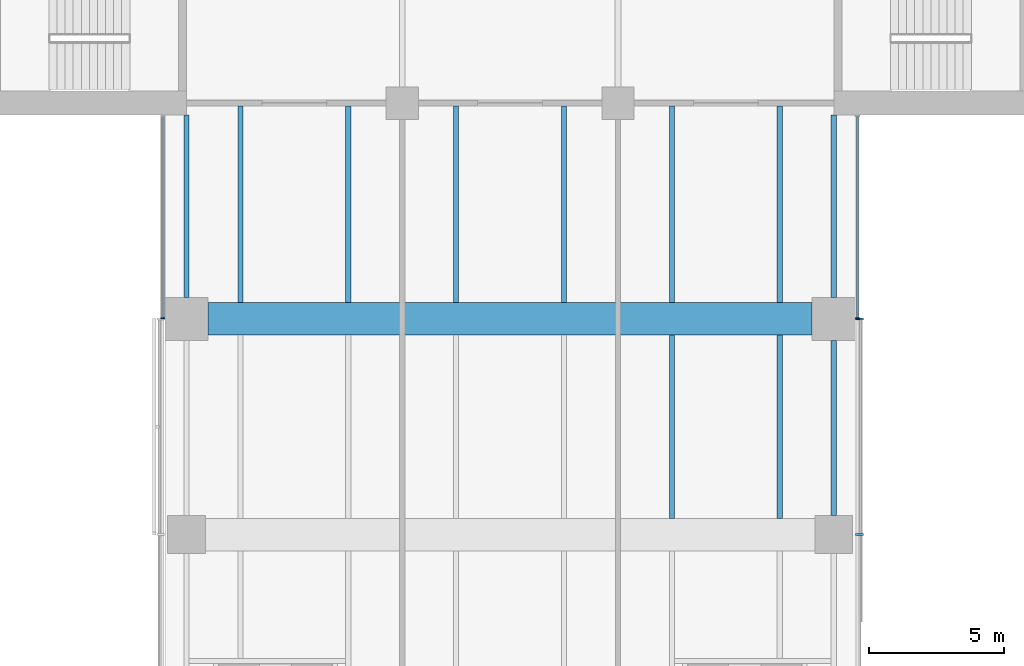
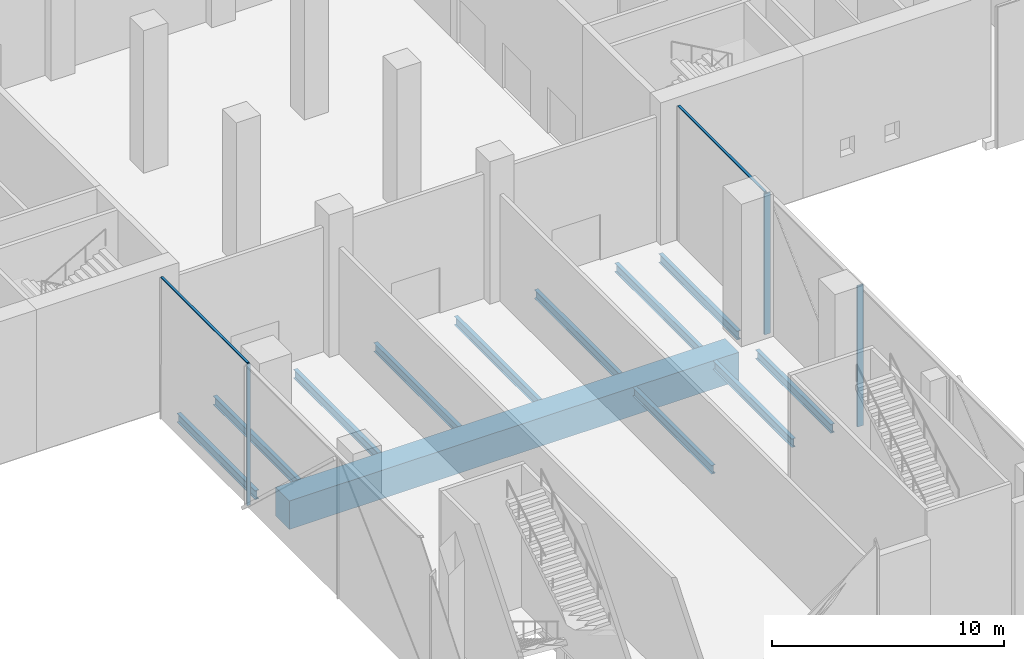
# One storey, part 3 of 25: 12 beams, 6 members, 3 elements without a shape of their own.
"""IFC4 building model written with IfcOpenShell, lengths in metres."""

from ifc_helpers import new_model, si_unit, direction, frame, origin, origin_2d, place, context, subcontext, project, spatial, rectangle, i_section, extrude, material, material_profile, profile_set, type_object, element, aggregate, save


model = new_model("IFC4")

# Units and contexts
model_context = context("Model", 3, precision=1e-05, world=origin(), true_north=direction((0.0, 1.0)))
body_context = subcontext(model_context, "Body", "Model", "MODEL_VIEW")
ifc_project = project(units=[si_unit("LENGTHUNIT", "METRE"), si_unit("AREAUNIT", "SQUARE_METRE"), si_unit("VOLUMEUNIT", "CUBIC_METRE"), si_unit("PLANEANGLEUNIT", "RADIAN"), si_unit("MASSUNIT", "GRAM", prefix="KILO")], contexts=[model_context])

# Site, building, storey
site_placement = place(None, origin())
site = spatial("IfcSite", under=ifc_project, at=site_placement, CompositionType="ELEMENT")
building_placement = place(site_placement, origin())
building = spatial("IfcBuilding", under=site, at=building_placement, Name="Crosswind Convention Tower", CompositionType="ELEMENT")
storey_placement = place(building_placement, frame((0.0, 0.0, 17.5)))
storey = spatial("IfcBuildingStorey", under=building, at=storey_placement, Name="L02", CompositionType="ELEMENT", Elevation=17.5)

# Beams
ifc_material_1 = material(Name="Steel S355", Category="steel")
ifc_material_profile_1 = material_profile(ifc_material_1, i_section(OverallWidth=0.19287109375, OverallDepth=0.467529296875, WebThickness=0.011474609375, FlangeThickness=0.01953125, FilletRadius=0.01025390625, at=origin_2d()), Name="UB 457x191x98")
ifc_profile_set_1 = profile_set([ifc_material_profile_1], Name="Steel S355")
beam_type_1 = type_object("IfcBeamType", Name="Edge beam UB 457x191x98", PredefinedType="SPANDREL", material=ifc_profile_set_1)
beam_1_placement = place(storey_placement, frame((113.0, 80.800048828125, -0.6337890625), z_axis=(0.0, 1.0, 0.0), x_axis=(-1.0, 0.0, 0.0)))
element("IfcBeam", 1, at=beam_1_placement, inside=storey, type_object=beam_type_1, Name="B20 L02 edge beam 8", PredefinedType="SPANDREL", context=body_context, shape_type="SweptSolid", body=[
    extrude(i_section(OverallWidth=0.19287109375, OverallDepth=0.467529296875, WebThickness=0.011474609375, FlangeThickness=0.01953125, FilletRadius=0.01025390625, at=origin_2d()), origin(), (0.0, 0.0, 1.0), 6.75),
])
beam_2_placement = place(storey_placement, frame((137.0, 72.699951171875, -0.6337890625), z_axis=(0.0, 1.0, 0.0), x_axis=(-1.0, 0.0, 0.0)))
element("IfcBeam", 2, at=beam_2_placement, inside=storey, type_object=beam_type_1, Name="B20 L02 edge beam 15", PredefinedType="SPANDREL", context=body_context, shape_type="SweptSolid", body=[
    extrude(i_section(OverallWidth=0.19287109375, OverallDepth=0.467529296875, WebThickness=0.011474609375, FlangeThickness=0.01953125, FilletRadius=0.01025390625, at=origin_2d()), origin(), (0.0, 0.0, 1.0), 6.5),
])
beam_3_placement = place(storey_placement, frame((137.0, 80.800048828125, -0.6337890625), z_axis=(0.0, 1.0, 0.0), x_axis=(-1.0, 0.0, 0.0)))
element("IfcBeam", 3, at=beam_3_placement, inside=storey, type_object=beam_type_1, Name="B20 L02 edge beam 16", PredefinedType="SPANDREL", context=body_context, shape_type="SweptSolid", body=[
    extrude(i_section(OverallWidth=0.19287109375, OverallDepth=0.467529296875, WebThickness=0.011474609375, FlangeThickness=0.01953125, FilletRadius=0.01025390625, at=origin_2d()), origin(), (0.0, 0.0, 1.0), 6.75),
])

# Curtain wall, member
ifc_material_2 = material(Name="Aluminium unitised curtain wall", Category="aluminium")
curtain_wall_type_1 = type_object("IfcCurtainWallType", Name="CORE END SLOT WALL 160", PredefinedType="USERDEFINED", material=ifc_material_2)
curtain_wall_1_placement = place(storey_placement, origin())
curtain_wall_1 = element("IfcCurtainWall", 4, at=curtain_wall_1_placement, inside=storey, type_object=curtain_wall_type_1, Name="CW6 L02 S-W.1-1 slot", ObjectType="UNITISED", PredefinedType="USERDEFINED")
ifc_material_3 = material(Name="Aluminium mullion", Category="aluminium")
ifc_material_profile_2 = material_profile(ifc_material_3, rectangle(XDim=0.159912109375, YDim=0.050048828125, at=origin_2d()), Name="AL 160X50")
ifc_profile_set_2 = profile_set([ifc_material_profile_2], Name="Aluminium mullion")
member_type_1 = type_object("IfcMemberType", Name="MULLION 50X160", PredefinedType="MULLION", material=ifc_profile_set_2)
member_1_placement = place(storey_placement, frame((112.1201171875, 80.02490234375, -0.39990234375), z_axis=(0.0, 0.0, 1.0), x_axis=(-1.0, 0.0, 0.0)))
member_1 = element("IfcMember", 5, at=member_1_placement, type_object=member_type_1, Name="CW6 mullion 2", PredefinedType="MULLION", context=body_context, shape_type="SweptSolid", body=[
    extrude(rectangle(XDim=0.159912109375, YDim=0.050048828125, at=origin_2d()), origin(), (0.0, 0.0, 1.0), 7.449951171875),
])

curtain_wall_2_placement = place(storey_placement, origin())
curtain_wall_2 = element("IfcCurtainWall", 6, at=curtain_wall_2_placement, inside=storey, type_object=curtain_wall_type_1, Name="CW6 L02 S-E.1-4 slot", ObjectType="UNITISED", PredefinedType="USERDEFINED")
member_2_placement = place(storey_placement, frame((137.8798828125, 80.02490234375, -0.39990234375), z_axis=(0.0, 0.0, 1.0), x_axis=(1.0, 0.0, 0.0)))
member_2 = element("IfcMember", 7, at=member_2_placement, type_object=member_type_1, Name="CW6 mullion 1", PredefinedType="MULLION", context=body_context, shape_type="SweptSolid", body=[
    extrude(rectangle(XDim=0.159912109375, YDim=0.050048828125, at=origin_2d()), origin(), (0.0, 0.0, 1.0), 7.449951171875),
])

# Curtain wall, members
curtain_wall_type_2 = type_object("IfcCurtainWallType", Name="PODIUM UNITISED WALL 300", PredefinedType="USERDEFINED", material=ifc_material_2)
curtain_wall_3_placement = place(storey_placement, origin())
curtain_wall_3 = element("IfcCurtainWall", 8, at=curtain_wall_3_placement, inside=storey, type_object=curtain_wall_type_2, Name="CW1 L02 S-E 1", ObjectType="UNITISED", PredefinedType="USERDEFINED")
ifc_material_profile_3 = material_profile(ifc_material_3, rectangle(XDim=0.300048828125, YDim=0.080078125, at=origin_2d()), Name="AL 300X80")
ifc_profile_set_3 = profile_set([ifc_material_profile_3], Name="Aluminium mullion")
member_type_2 = type_object("IfcMemberType", Name="MULLION 80X300", PredefinedType="MULLION", material=ifc_profile_set_3)
member_3_placement = place(storey_placement, frame((137.949951171875, 72.0, -0.39990234375), z_axis=(0.0, 0.0, 1.0), x_axis=(1.0, 0.0, 0.0)))
member_3 = element("IfcMember", 9, at=member_3_placement, type_object=member_type_2, Name="CW1 mullion 3", PredefinedType="MULLION", context=body_context, shape_type="SweptSolid", body=[
    extrude(rectangle(XDim=0.300048828125, YDim=0.080078125, at=origin_2d()), origin(), (0.0, 0.0, 1.0), 7.419921875),
])
member_4_placement = place(storey_placement, frame((137.949951171875, 80.0, -0.39990234375), z_axis=(0.0, 0.0, 1.0), x_axis=(1.0, 0.0, 0.0)))
member_4 = element("IfcMember", 10, at=member_4_placement, type_object=member_type_2, Name="CW1 mullion 4", PredefinedType="MULLION", context=body_context, shape_type="SweptSolid", body=[
    extrude(rectangle(XDim=0.300048828125, YDim=0.080078125, at=origin_2d()), origin(), (0.0, 0.0, 1.0), 7.419921875),
])
aggregate(curtain_wall_3, [member_3, member_4])

# Beams
ifc_material_4 = material(Name="Concrete C70/85", Category="concrete")
ifc_material_profile_4 = material_profile(ifc_material_4, rectangle(XDim=1.199951171875, YDim=1.5, at=origin_2d()), Name="RC 1200X1500")
ifc_profile_set_4 = profile_set([ifc_material_profile_4], Name="Concrete C70/85")
beam_type_2 = type_object("IfcBeamType", Name="Prestressed concrete girder RC 1200X1500", PredefinedType="BEAM", material=ifc_profile_set_4)
beam_4_placement = place(storey_placement, frame((113.800048828125, 80.0, -1.14990234375), z_axis=(1.0, 0.0, 0.0), x_axis=(0.0, 1.0, 0.0)))
element("IfcBeam", 11, at=beam_4_placement, inside=storey, type_object=beam_type_2, Name="B39 L02 prestressed concrete girder 3", PredefinedType="BEAM", context=body_context, shape_type="SweptSolid", body=[
    extrude(rectangle(XDim=1.199951171875, YDim=1.5, at=origin_2d()), origin(), (0.0, 0.0, 1.0), 22.39990234375),
])
ifc_material_profile_5 = material_profile(ifc_material_1, i_section(OverallWidth=0.19140625, OverallDepth=0.460205078125, WebThickness=0.010009765625, FlangeThickness=0.01611328125, FilletRadius=0.01025390625, at=origin_2d()), Name="UB 457x191x82")
ifc_profile_set_5 = profile_set([ifc_material_profile_5], Name="Steel S355")
beam_type_3 = type_object("IfcBeamType", Name="Secondary beam UB 457x191x82", PredefinedType="JOIST", material=ifc_profile_set_5)
for number, where, z_axis, x_axis, name in (
    (12, (115.0, 80.60009765625, -0.630126953125), (0.0, 1.0, 0.0), (-1.0, 0.0, 0.0), "B13 L02 secondary beam 16"),
    (13, (119.0, 80.60009765625, -0.630126953125), (0.0, 1.0, 0.0), (-1.0, 0.0, 0.0), "B13 L02 secondary beam 23"),
):
    element("IfcBeam", number, at=place(storey_placement, frame(where, z_axis=z_axis, x_axis=x_axis)), inside=storey, type_object=beam_type_3, Name=name, PredefinedType="JOIST", context=body_context, shape_type="SweptSolid", body=[
        extrude(i_section(OverallWidth=0.19140625, OverallDepth=0.460205078125, WebThickness=0.010009765625, FlangeThickness=0.01611328125, FilletRadius=0.01025390625, at=origin_2d()), origin(), (0.0, 0.0, 1.0), 7.29296875),
    ])
for number, where, z_axis, x_axis, name in (
    (14, (123.0, 80.60009765625, -0.630126953125), (0.0, 1.0, 0.0), (-1.0, 0.0, 0.0), "B13 L02 secondary beam 34"),
    (15, (127.0, 80.60009765625, -0.630126953125), (0.0, 1.0, 0.0), (-1.0, 0.0, 0.0), "B13 L02 secondary beam 42"),
):
    element("IfcBeam", number, at=place(storey_placement, frame(where, z_axis=z_axis, x_axis=x_axis)), inside=storey, type_object=beam_type_3, Name=name, PredefinedType="JOIST", context=body_context, shape_type="SweptSolid", body=[
        extrude(i_section(OverallWidth=0.19140625, OverallDepth=0.460205078125, WebThickness=0.010009765625, FlangeThickness=0.01611328125, FilletRadius=0.01025390625, at=origin_2d()), origin(), (0.0, 0.0, 1.0), 7.2939453125),
    ])
beam_5_placement = place(storey_placement, frame((131.0, 72.60009765625, -0.630126953125), z_axis=(0.0, 1.0, 0.0), x_axis=(-1.0, 0.0, 0.0)))
element("IfcBeam", 16, at=beam_5_placement, inside=storey, type_object=beam_type_3, Name="B13 L02 secondary beam 52", PredefinedType="JOIST", context=body_context, shape_type="SweptSolid", body=[
    extrude(i_section(OverallWidth=0.19140625, OverallDepth=0.460205078125, WebThickness=0.010009765625, FlangeThickness=0.01611328125, FilletRadius=0.01025390625, at=origin_2d()), origin(), (0.0, 0.0, 1.0), 6.7998046875),
])
beam_6_placement = place(storey_placement, frame((131.0, 80.60009765625, -0.630126953125), z_axis=(0.0, 1.0, 0.0), x_axis=(-1.0, 0.0, 0.0)))
element("IfcBeam", 17, at=beam_6_placement, inside=storey, type_object=beam_type_3, Name="B13 L02 secondary beam 53", PredefinedType="JOIST", context=body_context, shape_type="SweptSolid", body=[
    extrude(i_section(OverallWidth=0.19140625, OverallDepth=0.460205078125, WebThickness=0.010009765625, FlangeThickness=0.01611328125, FilletRadius=0.01025390625, at=origin_2d()), origin(), (0.0, 0.0, 1.0), 7.29296875),
])
beam_7_placement = place(storey_placement, frame((135.0, 72.60009765625, -0.630126953125), z_axis=(0.0, 1.0, 0.0), x_axis=(-1.0, 0.0, 0.0)))
element("IfcBeam", 18, at=beam_7_placement, inside=storey, type_object=beam_type_3, Name="B13 L02 secondary beam 59", PredefinedType="JOIST", context=body_context, shape_type="SweptSolid", body=[
    extrude(i_section(OverallWidth=0.19140625, OverallDepth=0.460205078125, WebThickness=0.010009765625, FlangeThickness=0.01611328125, FilletRadius=0.01025390625, at=origin_2d()), origin(), (0.0, 0.0, 1.0), 6.7998046875),
])
beam_8_placement = place(storey_placement, frame((135.0, 80.60009765625, -0.630126953125), z_axis=(0.0, 1.0, 0.0), x_axis=(-1.0, 0.0, 0.0)))
element("IfcBeam", 19, at=beam_8_placement, inside=storey, type_object=beam_type_3, Name="B13 L02 secondary beam 60", PredefinedType="JOIST", context=body_context, shape_type="SweptSolid", body=[
    extrude(i_section(OverallWidth=0.19140625, OverallDepth=0.460205078125, WebThickness=0.010009765625, FlangeThickness=0.01611328125, FilletRadius=0.01025390625, at=origin_2d()), origin(), (0.0, 0.0, 1.0), 7.29296875),
])

# Member
ifc_material_5 = material(Name="Aluminium transom", Category="aluminium")
ifc_material_profile_6 = material_profile(ifc_material_5, rectangle(XDim=0.1201171875, YDim=0.050048828125, at=origin_2d()), Name="AL 120X50")
ifc_profile_set_6 = profile_set([ifc_material_profile_6], Name="Aluminium transom")
member_type_3 = type_object("IfcMemberType", Name="TRANSOM 50X120", PredefinedType="USERDEFINED", material=ifc_profile_set_6)
member_5_placement = place(storey_placement, frame((112.1201171875, 87.5, 7.074951171875), z_axis=(0.0, -1.0, 0.0), x_axis=(1.0, 0.0, 0.0)))
member_5 = element("IfcMember", 20, at=member_5_placement, type_object=member_type_3, Name="CW6 transom", ObjectType="TRANSOM", PredefinedType="USERDEFINED", context=body_context, shape_type="SweptSolid", body=[
    extrude(rectangle(XDim=0.1201171875, YDim=0.050048828125, at=origin_2d()), origin(), (0.0, 0.0, 1.0), 7.449951171875),
])

aggregate(curtain_wall_1, [member_1, member_5])

member_6_placement = place(storey_placement, frame((137.8798828125, 80.050048828125, 7.074951171875), z_axis=(0.0, 1.0, 0.0), x_axis=(-1.0, 0.0, 0.0)))
member_6 = element("IfcMember", 21, at=member_6_placement, type_object=member_type_3, Name="CW6 transom", ObjectType="TRANSOM", PredefinedType="USERDEFINED", context=body_context, shape_type="SweptSolid", body=[
    extrude(rectangle(XDim=0.1201171875, YDim=0.050048828125, at=origin_2d()), origin(), (0.0, 0.0, 1.0), 7.449951171875),
])

aggregate(curtain_wall_2, [member_2, member_6])

save(model, "model.ifc")
